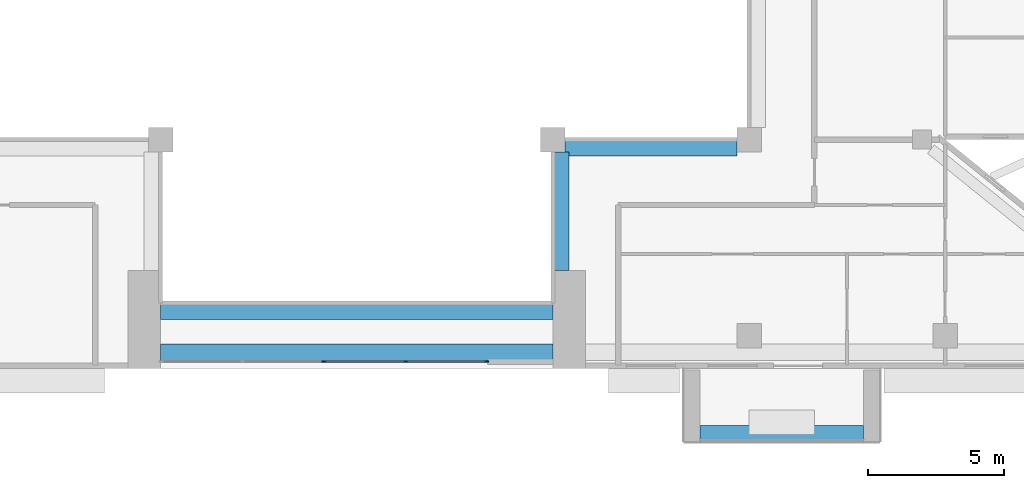
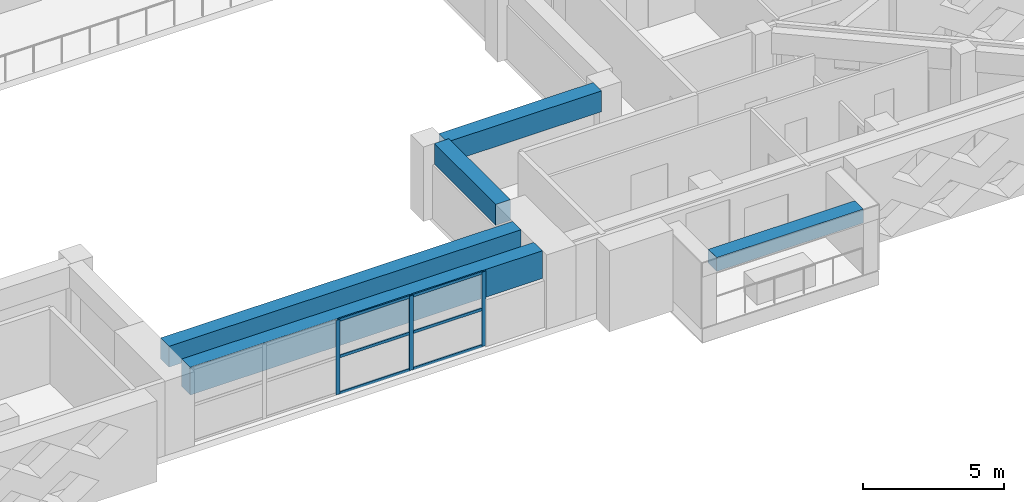
# One storey, part 4 of 19: 9 members, 5 beams, 1 element without a shape of its own.
"""IFC4 building model written with IfcOpenShell, lengths in metres."""

from ifc_helpers import new_model, si_unit, direction, frame, origin, origin_2d, place, context, subcontext, project, spatial, rectangle, extrude, source, transform, mapped, material, layer, layer_set, material_profile, profile_set, type_object, element, aggregate, save


model = new_model("IFC4")

# Units and contexts
model_context = context("Model", 3, precision=1e-05, world=origin(), true_north=direction((0.0, 1.0)))
body_context = subcontext(model_context, "Body", "Model", "MODEL_VIEW")
ifc_project = project(units=[si_unit("LENGTHUNIT", "METRE"), si_unit("AREAUNIT", "SQUARE_METRE"), si_unit("VOLUMEUNIT", "CUBIC_METRE"), si_unit("PLANEANGLEUNIT", "RADIAN"), si_unit("MASSUNIT", "GRAM", prefix="KILO")], contexts=[model_context])

# Site, building, storey
site_placement = place(None, origin())
site = spatial("IfcSite", under=ifc_project, at=site_placement, CompositionType="ELEMENT")
building_placement = place(site_placement, origin())
building = spatial("IfcBuilding", under=site, at=building_placement, Name="Saffron Iwan Residences", CompositionType="ELEMENT")
storey_placement = place(building_placement, frame((0.0, 0.0, 229.0)))
storey = spatial("IfcBuildingStorey", under=building, at=storey_placement, Name="L61", CompositionType="ELEMENT", Elevation=229.0)

# Beams
ifc_material_1 = material(Name="Concrete C40/50", Category="concrete")
ifc_material_profile_1 = material_profile(ifc_material_1, rectangle(XDim=0.60009765625, YDim=1.199951171875, at=origin_2d()), Name="RC 600x1200")
ifc_profile_set_1 = profile_set([ifc_material_profile_1], Name="Concrete C40/50")
beam_type_1 = type_object("IfcBeamType", Name="LINTEL BEAM RC 600x1200 C40/50 TOP 3220", PredefinedType="LINTEL", material=ifc_profile_set_1)
shared_shape_1 = source(origin(), body_context, "Body", "SweptSolid", [
    extrude(rectangle(XDim=0.60009765625, YDim=1.199951171875, at=origin_2d()), origin(), (0.0, 0.0, 1.0), 14.400146484375),
])
beam_1_placement = place(storey_placement, frame((57.60009765625, 40.199951171875, 2.6201171875), z_axis=(-1.0, 0.0, 0.0), x_axis=(0.0, -1.0, 0.0)))
element("IfcBeam", 1, at=beam_1_placement, inside=storey, type_object=beam_type_1, Name="Lintel beam over the iwan", PredefinedType="LINTEL", context=body_context, shape_type="MappedRepresentation", body=[
    mapped(shared_shape_1, transform((0.0, 0.0, 0.0))),
])
ifc_material_profile_2 = material_profile(ifc_material_1, rectangle(XDim=0.60009765625, YDim=0.89990234375, at=origin_2d()), Name="RC 600x900")
ifc_profile_set_2 = profile_set([ifc_material_profile_2], Name="Concrete C40/50")
beam_type_2 = type_object("IfcBeamType", Name="BEAM RC 600x900 C40/50 TOP 3220", PredefinedType="BEAM", material=ifc_profile_set_2)
shared_shape_2 = source(origin(), body_context, "Body", "SweptSolid", [
    extrude(rectangle(XDim=0.60009765625, YDim=0.89990234375, at=origin_2d()), origin(), (0.0, 0.0, 1.0), 14.400146484375),
])
beam_2_placement = place(storey_placement, frame((57.60009765625, 41.699951171875, 2.77001953125), z_axis=(-1.0, 0.0, 0.0), x_axis=(0.0, -1.0, 0.0)))
element("IfcBeam", 2, at=beam_2_placement, inside=storey, type_object=beam_type_2, Name="Atrium edge beam", PredefinedType="BEAM", context=body_context, shape_type="MappedRepresentation", body=[
    mapped(shared_shape_2, transform((0.0, 0.0, 0.0))),
])
shared_shape_3 = source(origin(), body_context, "Body", "SweptSolid", [
    extrude(rectangle(XDim=0.60009765625, YDim=0.89990234375, at=origin_2d()), origin(), (0.0, 0.0, 1.0), 4.35009765625),
])
beam_3_placement = place(storey_placement, frame((57.89990234375, 47.550048828125, 2.77001953125), z_axis=(0.0, -1.0, 0.0), x_axis=(1.0, 0.0, 0.0)))
element("IfcBeam", 3, at=beam_3_placement, inside=storey, type_object=beam_type_2, Name="Atrium edge beam", PredefinedType="BEAM", context=body_context, shape_type="MappedRepresentation", body=[
    mapped(shared_shape_3, transform((0.0, 0.0, 0.0))),
])
shared_shape_4 = source(origin(), body_context, "Body", "SweptSolid", [
    extrude(rectangle(XDim=0.60009765625, YDim=0.89990234375, at=origin_2d()), origin(), (0.0, 0.0, 1.0), 6.300048828125),
])
beam_4_placement = place(storey_placement, frame((64.35009765625, 47.699951171875, 2.77001953125), z_axis=(-1.0, 0.0, 0.0), x_axis=(0.0, -1.0, 0.0)))
element("IfcBeam", 4, at=beam_4_placement, inside=storey, type_object=beam_type_2, Name="Atrium edge beam", PredefinedType="BEAM", context=body_context, shape_type="MappedRepresentation", body=[
    mapped(shared_shape_4, transform((0.0, 0.0, 0.0))),
])

# Curtain wall, members
ifc_material_2 = material(Name="Clear glass, laminated double glazed", Category="glass")
ifc_layer = layer(ifc_material_2, 0.199951171875)
ifc_layer_set = layer_set([ifc_layer], Name="Clear glass, laminated double glazed")
curtain_wall_type = type_object("IfcCurtainWallType", Name="CW-B IWAN PORTAL", PredefinedType="NOTDEFINED", material=ifc_layer_set)
curtain_wall_placement = place(storey_placement, origin())
curtain_wall = element("IfcCurtainWall", 5, at=curtain_wall_placement, inside=storey, type_object=curtain_wall_type, Name="Iwan portal glazing L61.1", PredefinedType="NOTDEFINED")
ifc_material_3 = material(Name="Aluminium 6063-T6", Category="aluminium")
ifc_material_profile_3 = material_profile(ifc_material_3, rectangle(XDim=0.06005859375, YDim=0.1201171875, at=origin_2d()), Name="CW-B TRANSOM 60 x 120")
ifc_profile_set_3 = profile_set([ifc_material_profile_3], Name="Aluminium 6063-T6")
member_type_1 = type_object("IfcMemberType", Name="CW-B TRANSOM 60 x 120", PredefinedType="USERDEFINED", material=ifc_profile_set_3)
shared_shape_5 = source(origin(), body_context, "Body", "SweptSolid", [
    extrude(rectangle(XDim=0.06005859375, YDim=0.1201171875, at=origin_2d()), origin(), (0.0, 0.0, 1.0), 2.909912109375),
])
member_1_placement = place(storey_placement, frame((52.22998046875, 39.85009765625, 0.030029296875), z_axis=(1.0, 0.0, 0.0), x_axis=(0.0, 1.0, 0.0)))
member_1 = element("IfcMember", 6, at=member_1_placement, type_object=member_type_1, Name="CW-B transom 4.1", ObjectType="TRANSOM", PredefinedType="USERDEFINED", context=body_context, shape_type="MappedRepresentation", body=[
    mapped(shared_shape_5, transform((0.0, 0.0, 0.0))),
])
member_2_placement = place(storey_placement, frame((52.22998046875, 39.85009765625, 1.610107421875), z_axis=(1.0, 0.0, 0.0), x_axis=(0.0, 1.0, 0.0)))
member_2 = element("IfcMember", 7, at=member_2_placement, type_object=member_type_1, Name="CW-B transom 4.2", ObjectType="TRANSOM", PredefinedType="USERDEFINED", context=body_context, shape_type="MappedRepresentation", body=[
    mapped(shared_shape_5, transform((0.0, 0.0, 0.0))),
])
member_3_placement = place(storey_placement, frame((52.22998046875, 39.85009765625, 3.18994140625), z_axis=(1.0, 0.0, 0.0), x_axis=(0.0, 1.0, 0.0)))
member_3 = element("IfcMember", 8, at=member_3_placement, type_object=member_type_1, Name="CW-B transom 4.3", ObjectType="TRANSOM", PredefinedType="USERDEFINED", context=body_context, shape_type="MappedRepresentation", body=[
    mapped(shared_shape_5, transform((0.0, 0.0, 0.0))),
])
shared_shape_6 = source(origin(), body_context, "Body", "SweptSolid", [
    extrude(rectangle(XDim=0.06005859375, YDim=0.1201171875, at=origin_2d()), origin(), (0.0, 0.0, 1.0), 2.93994140625),
])
member_4_placement = place(storey_placement, frame((49.22998046875, 39.85009765625, 0.030029296875), z_axis=(1.0, 0.0, 0.0), x_axis=(0.0, 1.0, 0.0)))
member_4 = element("IfcMember", 9, at=member_4_placement, type_object=member_type_1, Name="CW-B transom 3.1", ObjectType="TRANSOM", PredefinedType="USERDEFINED", context=body_context, shape_type="MappedRepresentation", body=[
    mapped(shared_shape_6, transform((0.0, 0.0, 0.0))),
])
member_5_placement = place(storey_placement, frame((49.22998046875, 39.85009765625, 1.610107421875), z_axis=(1.0, 0.0, 0.0), x_axis=(0.0, 1.0, 0.0)))
member_5 = element("IfcMember", 10, at=member_5_placement, type_object=member_type_1, Name="CW-B transom 3.2", ObjectType="TRANSOM", PredefinedType="USERDEFINED", context=body_context, shape_type="MappedRepresentation", body=[
    mapped(shared_shape_6, transform((0.0, 0.0, 0.0))),
])
member_6_placement = place(storey_placement, frame((49.22998046875, 39.85009765625, 3.18994140625), z_axis=(1.0, 0.0, 0.0), x_axis=(0.0, 1.0, 0.0)))
member_6 = element("IfcMember", 11, at=member_6_placement, type_object=member_type_1, Name="CW-B transom 3.3", ObjectType="TRANSOM", PredefinedType="USERDEFINED", context=body_context, shape_type="MappedRepresentation", body=[
    mapped(shared_shape_6, transform((0.0, 0.0, 0.0))),
])

# Beam
ifc_material_4 = material(Name="Concrete C50/60 white painted", Category="concrete")
ifc_material_profile_4 = material_profile(ifc_material_4, rectangle(XDim=0.60009765625, YDim=0.60009765625, at=origin_2d()), Name="BALCONY FASCIA BEAM 600 x 600")
ifc_profile_set_4 = profile_set([ifc_material_profile_4], Name="Concrete C50/60 white painted")
beam_type_3 = type_object("IfcBeamType", Name="BALCONY FASCIA BEAM 600 x 600", PredefinedType="BEAM", material=ifc_profile_set_4)
shared_shape_7 = source(origin(), body_context, "Body", "SweptSolid", [
    extrude(rectangle(XDim=0.60009765625, YDim=0.60009765625, at=origin_2d()), origin(), (0.0, 0.0, 1.0), 6.0),
])
beam_5_placement = place(storey_placement, frame((63.0, 37.199951171875, 2.550048828125), z_axis=(1.0, 0.0, 0.0), x_axis=(0.0, 1.0, 0.0)))
element("IfcBeam", 12, at=beam_5_placement, inside=storey, type_object=beam_type_3, Name="Balcony fascia beam L61 11-1", PredefinedType="BEAM", context=body_context, shape_type="MappedRepresentation", body=[
    mapped(shared_shape_7, transform((0.0, 0.0, 0.0))),
])

# Member
ifc_material_profile_5 = material_profile(ifc_material_3, rectangle(XDim=0.06005859375, YDim=0.159912109375, at=origin_2d()), Name="CW-B MULLION 60 x 160")
ifc_profile_set_5 = profile_set([ifc_material_profile_5], Name="Aluminium 6063-T6")
member_type_2 = type_object("IfcMemberType", Name="CW-B MULLION 60 x 160", PredefinedType="MULLION", material=ifc_profile_set_5)
shared_shape_8 = source(origin(), body_context, "Body", "SweptSolid", [
    extrude(rectangle(XDim=0.06005859375, YDim=0.159912109375, at=origin_2d()), origin(), (0.0, 0.0, 1.0), 3.219970703125),
])
member_7_placement = place(storey_placement, frame((49.199951171875, 39.85009765625, 0.0), z_axis=(0.0, 0.0, 1.0), x_axis=(0.0, 1.0, 0.0)))
member_7 = element("IfcMember", 13, at=member_7_placement, type_object=member_type_2, Name="CW-B mullion 3", PredefinedType="MULLION", context=body_context, shape_type="MappedRepresentation", body=[
    mapped(shared_shape_8, transform((0.0, 0.0, 0.0))),
])

member_8_placement = place(storey_placement, frame((52.199951171875, 39.85009765625, 0.0), z_axis=(0.0, 0.0, 1.0), x_axis=(0.0, 1.0, 0.0)))
member_8 = element("IfcMember", 14, at=member_8_placement, type_object=member_type_2, Name="CW-B mullion 4", PredefinedType="MULLION", context=body_context, shape_type="MappedRepresentation", body=[
    mapped(shared_shape_8, transform((0.0, 0.0, 0.0))),
])

member_9_placement = place(storey_placement, frame((55.169921875, 39.85009765625, 0.0), z_axis=(0.0, 0.0, 1.0), x_axis=(0.0, 1.0, 0.0)))
member_9 = element("IfcMember", 15, at=member_9_placement, type_object=member_type_2, Name="CW-B mullion 5", PredefinedType="MULLION", context=body_context, shape_type="MappedRepresentation", body=[
    mapped(shared_shape_8, transform((0.0, 0.0, 0.0))),
])

aggregate(curtain_wall, [member_7, member_8, member_9, member_4, member_5, member_6, member_1, member_2, member_3])

save(model, "model.ifc")
